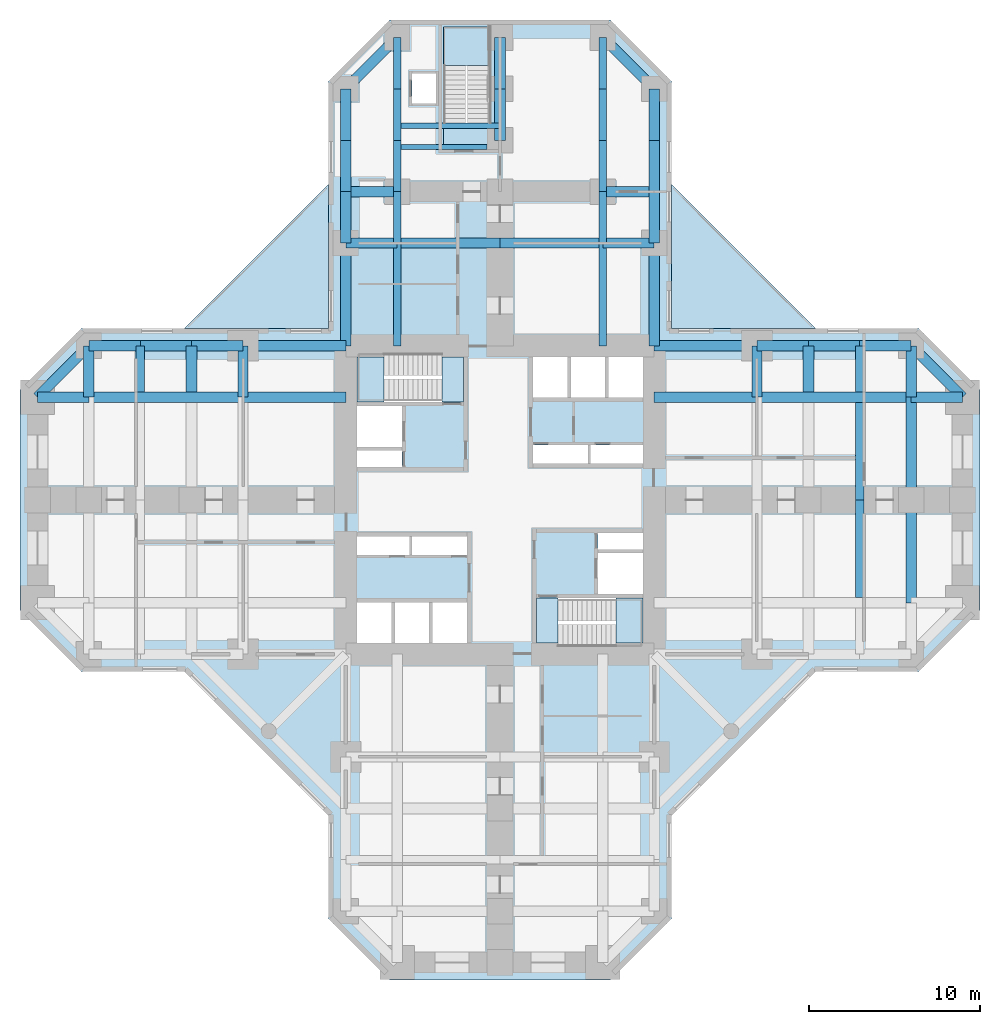
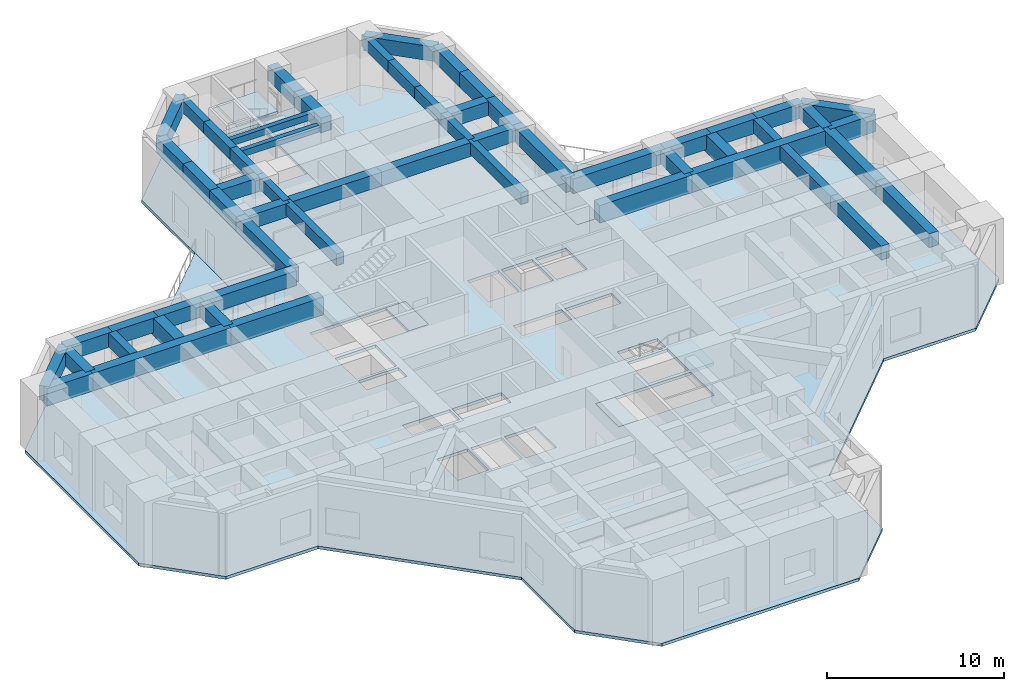
# One storey, part 2 of 10: 58 beams, 9 slabs, 3 elements without a shape of their own.
"""IFC4 building model written with IfcOpenShell, lengths in metres."""

from ifc_helpers import new_model, si_unit, direction, frame, origin, origin_2d, place, context, subcontext, project, spatial, polyline, rectangle, outline, extrude, material, layer, layer_set, material_profile, profile_set, type_object, element, aggregate, save


model = new_model("IFC4")

# Units and contexts
model_context = context("Model", 3, precision=1e-05, world=origin(), true_north=direction((0.0, 1.0)))
body_context = subcontext(model_context, "Body", "Model", "MODEL_VIEW")
ifc_project = project(units=[si_unit("LENGTHUNIT", "METRE"), si_unit("AREAUNIT", "SQUARE_METRE"), si_unit("VOLUMEUNIT", "CUBIC_METRE"), si_unit("PLANEANGLEUNIT", "RADIAN"), si_unit("MASSUNIT", "GRAM", prefix="KILO")], contexts=[model_context])

# Site, building, storey
site_placement = place(None, origin())
site = spatial("IfcSite", under=ifc_project, at=site_placement, CompositionType="ELEMENT")
building_placement = place(site_placement, origin())
building = spatial("IfcBuilding", under=site, at=building_placement, Name="Torre Cruceta", CompositionType="ELEMENT")
storey_placement = place(building_placement, frame((0.0, 0.0, 5.0)))
storey = spatial("IfcBuildingStorey", under=building, at=storey_placement, Name="L01", CompositionType="ELEMENT", Elevation=5.0)

# Beams
ifc_material_1 = material(Name="Concrete G60 (fck 60 MPa)", Category="concrete")
ifc_material_profile_1 = material_profile(ifc_material_1, rectangle(XDim=0.64990234375, YDim=1.0, at=origin_2d()), Name="RC 650X1000")
ifc_profile_set_1 = profile_set([ifc_material_profile_1], Name="Concrete G60 (fck 60 MPa)")
beam_type_1 = type_object("IfcBeamType", Name="ARM CENTRE BEAM RC 650X1000", PredefinedType="BEAM", material=ifc_profile_set_1)
for number, where, z_axis, x_axis, name in (
    (1, (0.0, 21.0, 3.800048828125), (0.0, 1.0, 0.0), (-1.0, 0.0, 0.0), "MB1 L01 N centre 1"),
    (2, (0.0, 24.0, 3.800048828125), (0.0, 1.0, 0.0), (-1.0, 0.0, 0.0), "MB1 L01 N centre 2"),
):
    element("IfcBeam", number, at=place(storey_placement, frame(where, z_axis=z_axis, x_axis=x_axis)), inside=storey, type_object=beam_type_1, Name=name, PredefinedType="BEAM", context=body_context, shape_type="SweptSolid", body=[
        extrude(rectangle(XDim=0.64990234375, YDim=1.0, at=origin_2d()), origin(), (0.0, 0.0, 1.0), 3.0),
    ])
ifc_material_2 = material(Name="Concrete G60 (fck 60 MPa)", Category="concrete")
ifc_material_profile_2 = material_profile(ifc_material_2, rectangle(XDim=0.449951171875, YDim=0.800048828125, at=origin_2d()), Name="RC 450X800")
ifc_profile_set_2 = profile_set([ifc_material_profile_2], Name="Concrete G60 (fck 60 MPa)")
beam_type_2 = type_object("IfcBeamType", Name="COLUMN LINE BEAM RC 450X800", PredefinedType="BEAM", material=ifc_profile_set_2)
beam_1_placement = place(storey_placement, frame((6.0, 9.0, 3.89990234375), z_axis=(0.0, 1.0, 0.0), x_axis=(-1.0, 0.0, 0.0)))
element("IfcBeam", 3, at=beam_1_placement, inside=storey, type_object=beam_type_2, Name="LB1 L01 N col- 1", PredefinedType="BEAM", context=body_context, shape_type="SweptSolid", body=[
    extrude(rectangle(XDim=0.449951171875, YDim=0.800048828125, at=origin_2d()), origin(), (0.0, 0.0, 1.0), 6.0),
])
for number, where, z_axis, x_axis, name in (
    (4, (6.0, 15.0, 3.89990234375), (0.0, 1.0, 0.0), (-1.0, 0.0, 0.0), "LB1 L01 N col- 2"),
    (5, (6.0, 18.0, 3.89990234375), (0.0, 1.0, 0.0), (-1.0, 0.0, 0.0), "LB1 L01 N col- 3"),
    (6, (6.0, 21.0, 3.89990234375), (0.0, 1.0, 0.0), (-1.0, 0.0, 0.0), "LB1 L01 N col- 4"),
    (7, (6.0, 24.0, 3.89990234375), (0.0, 1.0, 0.0), (-1.0, 0.0, 0.0), "LB1 L01 N col- 5"),
):
    element("IfcBeam", number, at=place(storey_placement, frame(where, z_axis=z_axis, x_axis=x_axis)), inside=storey, type_object=beam_type_2, Name=name, PredefinedType="BEAM", context=body_context, shape_type="SweptSolid", body=[
        extrude(rectangle(XDim=0.449951171875, YDim=0.800048828125, at=origin_2d()), origin(), (0.0, 0.0, 1.0), 3.0),
    ])
beam_2_placement = place(storey_placement, frame((-6.0, 9.0, 3.89990234375), z_axis=(0.0, 1.0, 0.0), x_axis=(-1.0, 0.0, 0.0)))
element("IfcBeam", 8, at=beam_2_placement, inside=storey, type_object=beam_type_2, Name="LB1 L01 N col+ 1", PredefinedType="BEAM", context=body_context, shape_type="SweptSolid", body=[
    extrude(rectangle(XDim=0.449951171875, YDim=0.800048828125, at=origin_2d()), origin(), (0.0, 0.0, 1.0), 6.0),
])
for number, where, z_axis, x_axis, name in (
    (9, (-6.0, 15.0, 3.89990234375), (0.0, 1.0, 0.0), (-1.0, 0.0, 0.0), "LB1 L01 N col+ 2"),
    (10, (-6.0, 18.0, 3.89990234375), (0.0, 1.0, 0.0), (-1.0, 0.0, 0.0), "LB1 L01 N col+ 3"),
    (11, (-6.0, 21.0, 3.89990234375), (0.0, 1.0, 0.0), (-1.0, 0.0, 0.0), "LB1 L01 N col+ 4"),
    (12, (-6.0, 24.0, 3.89990234375), (0.0, 1.0, 0.0), (-1.0, 0.0, 0.0), "LB1 L01 N col+ 5"),
):
    element("IfcBeam", number, at=place(storey_placement, frame(where, z_axis=z_axis, x_axis=x_axis)), inside=storey, type_object=beam_type_2, Name=name, PredefinedType="BEAM", context=body_context, shape_type="SweptSolid", body=[
        extrude(rectangle(XDim=0.449951171875, YDim=0.800048828125, at=origin_2d()), origin(), (0.0, 0.0, 1.0), 3.0),
    ])
ifc_material_3 = material(Name="Concrete G60 (fck 60 MPa)", Category="concrete")
ifc_material_profile_3 = material_profile(ifc_material_3, rectangle(XDim=0.60009765625, YDim=1.199951171875, at=origin_2d()), Name="RC 600X1200")
ifc_profile_set_3 = profile_set([ifc_material_profile_3], Name="Concrete G60 (fck 60 MPa)")
beam_type_3 = type_object("IfcBeamType", Name="COLUMN LINE BEAM RC 600X1200", PredefinedType="BEAM", material=ifc_profile_set_3)
beam_3_placement = place(storey_placement, frame((9.0, 6.0, 3.699951171875), z_axis=(1.0, 0.0, 0.0), x_axis=(0.0, 1.0, 0.0)))
element("IfcBeam", 13, at=beam_3_placement, inside=storey, type_object=beam_type_3, Name="LB2 L01 E col+ 1", PredefinedType="BEAM", context=body_context, shape_type="SweptSolid", body=[
    extrude(rectangle(XDim=0.60009765625, YDim=1.199951171875, at=origin_2d()), origin(), (0.0, 0.0, 1.0), 6.0),
])
beam_4_placement = place(storey_placement, frame((15.0, 6.0, 3.699951171875), z_axis=(1.0, 0.0, 0.0), x_axis=(0.0, 1.0, 0.0)))
element("IfcBeam", 14, at=beam_4_placement, inside=storey, type_object=beam_type_3, Name="LB2 L01 E col+ 2", PredefinedType="BEAM", context=body_context, shape_type="SweptSolid", body=[
    extrude(rectangle(XDim=0.60009765625, YDim=1.199951171875, at=origin_2d()), origin(), (0.0, 0.0, 1.0), 9.0),
])
beam_5_placement = place(storey_placement, frame((24.0, 6.0, 3.699951171875), z_axis=(1.0, 0.0, 0.0), x_axis=(0.0, 1.0, 0.0)))
element("IfcBeam", 15, at=beam_5_placement, inside=storey, type_object=beam_type_3, Name="LB2 L01 E col+ 5", PredefinedType="BEAM", context=body_context, shape_type="SweptSolid", body=[
    extrude(rectangle(XDim=0.60009765625, YDim=1.199951171875, at=origin_2d()), origin(), (0.0, 0.0, 1.0), 3.0),
])
beam_6_placement = place(storey_placement, frame((-9.0, 6.0, 3.699951171875), z_axis=(-1.0, 0.0, 0.0), x_axis=(0.0, -1.0, 0.0)))
element("IfcBeam", 16, at=beam_6_placement, inside=storey, type_object=beam_type_3, Name="LB2 L01 W col- 1", PredefinedType="BEAM", context=body_context, shape_type="SweptSolid", body=[
    extrude(rectangle(XDim=0.60009765625, YDim=1.199951171875, at=origin_2d()), origin(), (0.0, 0.0, 1.0), 6.0),
])
beam_7_placement = place(storey_placement, frame((-15.0, 6.0, 3.699951171875), z_axis=(-1.0, 0.0, 0.0), x_axis=(0.0, -1.0, 0.0)))
element("IfcBeam", 17, at=beam_7_placement, inside=storey, type_object=beam_type_3, Name="LB2 L01 W col- 2", PredefinedType="BEAM", context=body_context, shape_type="SweptSolid", body=[
    extrude(rectangle(XDim=0.60009765625, YDim=1.199951171875, at=origin_2d()), origin(), (0.0, 0.0, 1.0), 9.0),
])
beam_8_placement = place(storey_placement, frame((-24.0, 6.0, 3.699951171875), z_axis=(-1.0, 0.0, 0.0), x_axis=(0.0, -1.0, 0.0)))
element("IfcBeam", 18, at=beam_8_placement, inside=storey, type_object=beam_type_3, Name="LB2 L01 W col- 5", PredefinedType="BEAM", context=body_context, shape_type="SweptSolid", body=[
    extrude(rectangle(XDim=0.60009765625, YDim=1.199951171875, at=origin_2d()), origin(), (0.0, 0.0, 1.0), 3.0),
])
ifc_material_4 = material(Name="Concrete G60 (fck 60 MPa)", Category="concrete")
ifc_material_profile_4 = material_profile(ifc_material_4, rectangle(XDim=0.60009765625, YDim=0.949951171875, at=origin_2d()), Name="RC 600X950")
ifc_profile_set_4 = profile_set([ifc_material_profile_4], Name="Concrete G60 (fck 60 MPa)")
beam_type_4 = type_object("IfcBeamType", Name="CROSS BEAM RC 600X950", PredefinedType="BEAM", material=ifc_profile_set_4)
beam_9_placement = place(storey_placement, frame((9.0, 15.0, 3.824951171875), z_axis=(-1.0, 0.0, 0.0), x_axis=(0.0, -1.0, 0.0)))
element("IfcBeam", 19, at=beam_9_placement, inside=storey, type_object=beam_type_4, Name="GB1 L01 N cross15 1", PredefinedType="BEAM", context=body_context, shape_type="SweptSolid", body=[
    extrude(rectangle(XDim=0.60009765625, YDim=0.949951171875, at=origin_2d()), origin(), (0.0, 0.0, 1.0), 3.0),
])
for number, where, z_axis, x_axis, name in (
    (20, (6.0, 15.0, 3.824951171875), (-1.0, 0.0, 0.0), (0.0, -1.0, 0.0), "GB1 L01 N cross15 2"),
    (21, (0.0, 15.0, 3.824951171875), (-1.0, 0.0, 0.0), (0.0, -1.0, 0.0), "GB1 L01 N cross15 3"),
):
    element("IfcBeam", number, at=place(storey_placement, frame(where, z_axis=z_axis, x_axis=x_axis)), inside=storey, type_object=beam_type_4, Name=name, PredefinedType="BEAM", context=body_context, shape_type="SweptSolid", body=[
        extrude(rectangle(XDim=0.60009765625, YDim=0.949951171875, at=origin_2d()), origin(), (0.0, 0.0, 1.0), 6.0),
    ])
for number, where, z_axis, x_axis, name in (
    (22, (-6.0, 15.0, 3.824951171875), (-1.0, 0.0, 0.0), (0.0, -1.0, 0.0), "GB1 L01 N cross15 4"),
    (23, (9.0, 18.0, 3.824951171875), (-1.0, 0.0, 0.0), (0.0, -1.0, 0.0), "GB1 L01 N cross18 1"),
    (24, (-6.0, 18.0, 3.824951171875), (-1.0, 0.0, 0.0), (0.0, -1.0, 0.0), "GB1 L01 N cross18b 1"),
    (25, (15.0, 6.0, 3.824951171875), (0.0, 1.0, 0.0), (-1.0, 0.0, 0.0), "GB1 L01 E cross15 4"),
):
    element("IfcBeam", number, at=place(storey_placement, frame(where, z_axis=z_axis, x_axis=x_axis)), inside=storey, type_object=beam_type_4, Name=name, PredefinedType="BEAM", context=body_context, shape_type="SweptSolid", body=[
        extrude(rectangle(XDim=0.60009765625, YDim=0.949951171875, at=origin_2d()), origin(), (0.0, 0.0, 1.0), 3.0),
    ])
for number, where, z_axis, x_axis, name in (
    (26, (24.0, -6.0, 3.824951171875), (0.0, 1.0, 0.0), (-1.0, 0.0, 0.0), "GB1 L01 E cross24 2"),
    (27, (24.0, 0.0, 3.824951171875), (0.0, 1.0, 0.0), (-1.0, 0.0, 0.0), "GB1 L01 E cross24 3"),
):
    element("IfcBeam", number, at=place(storey_placement, frame(where, z_axis=z_axis, x_axis=x_axis)), inside=storey, type_object=beam_type_4, Name=name, PredefinedType="BEAM", context=body_context, shape_type="SweptSolid", body=[
        extrude(rectangle(XDim=0.60009765625, YDim=0.949951171875, at=origin_2d()), origin(), (0.0, 0.0, 1.0), 6.0),
    ])
for number, where, z_axis, x_axis, name in (
    (28, (24.0, 6.0, 3.824951171875), (0.0, 1.0, 0.0), (-1.0, 0.0, 0.0), "GB1 L01 E cross24 4"),
    (29, (-15.0, 9.0, 3.824951171875), (0.0, -1.0, 0.0), (1.0, 0.0, 0.0), "GB1 L01 W cross15 1"),
    (30, (-24.0, 9.0, 3.824951171875), (0.0, -1.0, 0.0), (1.0, 0.0, 0.0), "GB1 L01 W cross24 1"),
):
    element("IfcBeam", number, at=place(storey_placement, frame(where, z_axis=z_axis, x_axis=x_axis)), inside=storey, type_object=beam_type_4, Name=name, PredefinedType="BEAM", context=body_context, shape_type="SweptSolid", body=[
        extrude(rectangle(XDim=0.60009765625, YDim=0.949951171875, at=origin_2d()), origin(), (0.0, 0.0, 1.0), 3.0),
    ])
ifc_material_5 = material(Name="Concrete G60 (fck 60 MPa)", Category="concrete")
ifc_material_profile_5 = material_profile(ifc_material_5, rectangle(XDim=0.64990234375, YDim=1.199951171875, at=origin_2d()), Name="RC 650X1200")
ifc_profile_set_5 = profile_set([ifc_material_profile_5], Name="Concrete G60 (fck 60 MPa)")
beam_type_5 = type_object("IfcBeamType", Name="CROSS BEAM RC 650X1200", PredefinedType="BEAM", material=ifc_profile_set_5)
for number, where, z_axis, x_axis, name in (
    (31, (18.0, 6.300048828125, 3.699951171875), (0.0, 1.0, 0.0), (-1.0, 0.0, 0.0), "GB2 L01 E cross18 4"),
    (32, (-18.0, 9.0, 3.699951171875), (0.0, -1.0, 0.0), (1.0, 0.0, 0.0), "GB2 L01 W cross18 1"),
):
    element("IfcBeam", number, at=place(storey_placement, frame(where, z_axis=z_axis, x_axis=x_axis)), inside=storey, type_object=beam_type_5, Name=name, PredefinedType="BEAM", context=body_context, shape_type="SweptSolid", body=[
        extrude(rectangle(XDim=0.64990234375, YDim=1.199951171875, at=origin_2d()), origin(), (0.0, 0.0, 1.0), 2.699951171875),
    ])
ifc_material_6 = material(Name="Concrete G60 (fck 60 MPa)", Category="concrete")
ifc_material_profile_6 = material_profile(ifc_material_6, rectangle(XDim=0.5, YDim=0.949951171875, at=origin_2d()), Name="RC 500X950")
ifc_profile_set_6 = profile_set([ifc_material_profile_6], Name="Concrete G60 (fck 60 MPa)")
beam_type_6 = type_object("IfcBeamType", Name="SECONDARY BEAM RC 500X950", PredefinedType="JOIST", material=ifc_profile_set_6)
for number, where, z_axis, x_axis, name in (
    (33, (21.0, -5.699951171875, 3.824951171875), (0.0, 1.0, 0.0), (-1.0, 0.0, 0.0), "JB2 L01 E sec21 2"),
    (34, (21.0, 0.0, 3.824951171875), (0.0, 1.0, 0.0), (-1.0, 0.0, 0.0), "JB2 L01 E sec21 3"),
):
    element("IfcBeam", number, at=place(storey_placement, frame(where, z_axis=z_axis, x_axis=x_axis)), inside=storey, type_object=beam_type_6, Name=name, PredefinedType="JOIST", context=body_context, shape_type="SweptSolid", body=[
        extrude(rectangle(XDim=0.5, YDim=0.949951171875, at=origin_2d()), origin(), (0.0, 0.0, 1.0), 5.699951171875),
    ])
for number, where, z_axis, x_axis, name in (
    (35, (21.0, 6.300048828125, 3.824951171875), (0.0, 1.0, 0.0), (-1.0, 0.0, 0.0), "JB2 L01 E sec21 4"),
    (36, (-21.0, 9.0, 3.824951171875), (0.0, -1.0, 0.0), (1.0, 0.0, 0.0), "JB2 L01 W sec21 1"),
):
    element("IfcBeam", number, at=place(storey_placement, frame(where, z_axis=z_axis, x_axis=x_axis)), inside=storey, type_object=beam_type_6, Name=name, PredefinedType="JOIST", context=body_context, shape_type="SweptSolid", body=[
        extrude(rectangle(XDim=0.5, YDim=0.949951171875, at=origin_2d()), origin(), (0.0, 0.0, 1.0), 2.699951171875),
    ])
ifc_material_7 = material(Name="Concrete G60 (fck 60 MPa)", Category="concrete")
ifc_material_profile_7 = material_profile(ifc_material_7, rectangle(XDim=0.60009765625, YDim=1.0, at=origin_2d()), Name="RC 600X1000")
ifc_profile_set_7 = profile_set([ifc_material_profile_7], Name="Concrete G60 (fck 60 MPa)")
beam_type_7 = type_object("IfcBeamType", Name="SPANDREL BEAM RC 600X1000", PredefinedType="SPANDREL", material=ifc_profile_set_7)
beam_10_placement = place(storey_placement, frame((9.0, 9.0, 3.800048828125), z_axis=(0.0, 1.0, 0.0), x_axis=(-1.0, 0.0, 0.0)))
element("IfcBeam", 37, at=beam_10_placement, inside=storey, type_object=beam_type_7, Name="SB1 L01 N side- 1", PredefinedType="SPANDREL", context=body_context, shape_type="SweptSolid", body=[
    extrude(rectangle(XDim=0.60009765625, YDim=1.0, at=origin_2d()), origin(), (0.0, 0.0, 1.0), 6.0),
])
for number, where, z_axis, x_axis, name in (
    (38, (9.0, 15.0, 3.800048828125), (0.0, 1.0, 0.0), (-1.0, 0.0, 0.0), "SB1 L01 N side- 2"),
    (39, (9.0, 18.0, 3.800048828125), (0.0, 1.0, 0.0), (-1.0, 0.0, 0.0), "SB1 L01 N side- 3"),
    (40, (9.0, 21.0, 3.800048828125), (0.0, 1.0, 0.0), (-1.0, 0.0, 0.0), "SB1 L01 N side- 4"),
):
    element("IfcBeam", number, at=place(storey_placement, frame(where, z_axis=z_axis, x_axis=x_axis)), inside=storey, type_object=beam_type_7, Name=name, PredefinedType="SPANDREL", context=body_context, shape_type="SweptSolid", body=[
        extrude(rectangle(XDim=0.60009765625, YDim=1.0, at=origin_2d()), origin(), (0.0, 0.0, 1.0), 3.0),
    ])
beam_11_placement = place(storey_placement, frame((9.0, 24.0, 3.800048828125), z_axis=(-0.707106781187, 0.707106781187, 0.0), x_axis=(-0.707106781187, -0.707106781187, 0.0)))
element("IfcBeam", 41, at=beam_11_placement, inside=storey, type_object=beam_type_7, Name="SB1 L01 N side- 5", PredefinedType="SPANDREL", context=body_context, shape_type="SweptSolid", body=[
    extrude(rectangle(XDim=0.60009765625, YDim=1.0, at=origin_2d()), origin(), (0.0, 0.0, 1.0), 4.24267578125),
])
beam_12_placement = place(storey_placement, frame((-9.0, 9.0, 3.800048828125), z_axis=(0.0, 1.0, 0.0), x_axis=(-1.0, 0.0, 0.0)))
element("IfcBeam", 42, at=beam_12_placement, inside=storey, type_object=beam_type_7, Name="SB1 L01 N side+ 1", PredefinedType="SPANDREL", context=body_context, shape_type="SweptSolid", body=[
    extrude(rectangle(XDim=0.60009765625, YDim=1.0, at=origin_2d()), origin(), (0.0, 0.0, 1.0), 6.0),
])
for number, where, z_axis, x_axis, name in (
    (43, (-9.0, 15.0, 3.800048828125), (0.0, 1.0, 0.0), (-1.0, 0.0, 0.0), "SB1 L01 N side+ 2"),
    (44, (-9.0, 18.0, 3.800048828125), (0.0, 1.0, 0.0), (-1.0, 0.0, 0.0), "SB1 L01 N side+ 3"),
    (45, (-9.0, 21.0, 3.800048828125), (0.0, 1.0, 0.0), (-1.0, 0.0, 0.0), "SB1 L01 N side+ 4"),
):
    element("IfcBeam", number, at=place(storey_placement, frame(where, z_axis=z_axis, x_axis=x_axis)), inside=storey, type_object=beam_type_7, Name=name, PredefinedType="SPANDREL", context=body_context, shape_type="SweptSolid", body=[
        extrude(rectangle(XDim=0.60009765625, YDim=1.0, at=origin_2d()), origin(), (0.0, 0.0, 1.0), 3.0),
    ])
beam_13_placement = place(storey_placement, frame((-9.0, 24.0, 3.800048828125), z_axis=(0.707106781187, 0.707106781187, 0.0), x_axis=(-0.707106781187, 0.707106781187, 0.0)))
element("IfcBeam", 46, at=beam_13_placement, inside=storey, type_object=beam_type_7, Name="SB1 L01 N side+ 5", PredefinedType="SPANDREL", context=body_context, shape_type="SweptSolid", body=[
    extrude(rectangle(XDim=0.60009765625, YDim=1.0, at=origin_2d()), origin(), (0.0, 0.0, 1.0), 4.24267578125),
])
beam_14_placement = place(storey_placement, frame((9.0, 9.0, 3.800048828125), z_axis=(1.0, 0.0, 0.0), x_axis=(0.0, 1.0, 0.0)))
element("IfcBeam", 47, at=beam_14_placement, inside=storey, type_object=beam_type_7, Name="SB1 L01 E side+ 1", PredefinedType="SPANDREL", context=body_context, shape_type="SweptSolid", body=[
    extrude(rectangle(XDim=0.60009765625, YDim=1.0, at=origin_2d()), origin(), (0.0, 0.0, 1.0), 6.0),
])
for number, where, z_axis, x_axis, name in (
    (48, (15.0, 9.0, 3.800048828125), (1.0, 0.0, 0.0), (0.0, 1.0, 0.0), "SB1 L01 E side+ 2"),
    (49, (18.0, 9.0, 3.800048828125), (1.0, 0.0, 0.0), (0.0, 1.0, 0.0), "SB1 L01 E side+ 3"),
    (50, (21.0, 9.0, 3.800048828125), (1.0, 0.0, 0.0), (0.0, 1.0, 0.0), "SB1 L01 E side+ 4"),
):
    element("IfcBeam", number, at=place(storey_placement, frame(where, z_axis=z_axis, x_axis=x_axis)), inside=storey, type_object=beam_type_7, Name=name, PredefinedType="SPANDREL", context=body_context, shape_type="SweptSolid", body=[
        extrude(rectangle(XDim=0.60009765625, YDim=1.0, at=origin_2d()), origin(), (0.0, 0.0, 1.0), 3.0),
    ])
beam_15_placement = place(storey_placement, frame((24.0, 9.0, 3.800048828125), z_axis=(0.707106781187, -0.707106781187, 0.0), x_axis=(0.707106781187, 0.707106781187, 0.0)))
element("IfcBeam", 51, at=beam_15_placement, inside=storey, type_object=beam_type_7, Name="SB1 L01 E side+ 5", PredefinedType="SPANDREL", context=body_context, shape_type="SweptSolid", body=[
    extrude(rectangle(XDim=0.60009765625, YDim=1.0, at=origin_2d()), origin(), (0.0, 0.0, 1.0), 4.24267578125),
])
beam_16_placement = place(storey_placement, frame((-9.0, 9.0, 3.800048828125), z_axis=(-1.0, 0.0, 0.0), x_axis=(0.0, -1.0, 0.0)))
element("IfcBeam", 52, at=beam_16_placement, inside=storey, type_object=beam_type_7, Name="SB1 L01 W side- 1", PredefinedType="SPANDREL", context=body_context, shape_type="SweptSolid", body=[
    extrude(rectangle(XDim=0.60009765625, YDim=1.0, at=origin_2d()), origin(), (0.0, 0.0, 1.0), 6.0),
])
for number, where, z_axis, x_axis, name in (
    (53, (-15.0, 9.0, 3.800048828125), (-1.0, 0.0, 0.0), (0.0, -1.0, 0.0), "SB1 L01 W side- 2"),
    (54, (-18.0, 9.0, 3.800048828125), (-1.0, 0.0, 0.0), (0.0, -1.0, 0.0), "SB1 L01 W side- 3"),
    (55, (-21.0, 9.0, 3.800048828125), (-1.0, 0.0, 0.0), (0.0, -1.0, 0.0), "SB1 L01 W side- 4"),
):
    element("IfcBeam", number, at=place(storey_placement, frame(where, z_axis=z_axis, x_axis=x_axis)), inside=storey, type_object=beam_type_7, Name=name, PredefinedType="SPANDREL", context=body_context, shape_type="SweptSolid", body=[
        extrude(rectangle(XDim=0.60009765625, YDim=1.0, at=origin_2d()), origin(), (0.0, 0.0, 1.0), 3.0),
    ])
beam_17_placement = place(storey_placement, frame((-24.0, 9.0, 3.800048828125), z_axis=(-0.707106781187, -0.707106781187, 0.0), x_axis=(0.707106781187, -0.707106781187, 0.0)))
element("IfcBeam", 56, at=beam_17_placement, inside=storey, type_object=beam_type_7, Name="SB1 L01 W side- 5", PredefinedType="SPANDREL", context=body_context, shape_type="SweptSolid", body=[
    extrude(rectangle(XDim=0.60009765625, YDim=1.0, at=origin_2d()), origin(), (0.0, 0.0, 1.0), 4.24267578125),
])
ifc_material_8 = material(Name="Concrete G60 (fck 60 MPa)", Category="concrete")
ifc_material_profile_8 = material_profile(ifc_material_8, rectangle(XDim=0.300048828125, YDim=0.449951171875, at=origin_2d()), Name="RC 300X450")
ifc_profile_set_8 = profile_set([ifc_material_profile_8], Name="Concrete G60 (fck 60 MPa)")
beam_type_8 = type_object("IfcBeamType", Name="STAIR TRIMMER BEAM RC 300X450", PredefinedType="BEAM", material=ifc_profile_set_8)
beam_18_placement = place(storey_placement, frame((-0.75, 20.60009765625, 4.074951171875), z_axis=(-1.0, 0.0, 0.0), x_axis=(0.0, -1.0, 0.0)))
element("IfcBeam", 57, at=beam_18_placement, inside=storey, type_object=beam_type_8, Name="TB1 stair trimmer beam ST3 L02 1", PredefinedType="BEAM", context=body_context, shape_type="SweptSolid", body=[
    extrude(rectangle(XDim=0.300048828125, YDim=0.449951171875, at=origin_2d()), origin(), (0.0, 0.0, 1.0), 5.25),
])
beam_19_placement = place(storey_placement, frame((0.0, 21.85009765625, 4.074951171875), z_axis=(-1.0, 0.0, 0.0), x_axis=(0.0, -1.0, 0.0)))
element("IfcBeam", 58, at=beam_19_placement, inside=storey, type_object=beam_type_8, Name="TB1 stair trimmer beam ST3 L02 2", PredefinedType="BEAM", context=body_context, shape_type="SweptSolid", body=[
    extrude(rectangle(XDim=0.300048828125, YDim=0.449951171875, at=origin_2d()), origin(), (0.0, 0.0, 1.0), 6.0),
])

# Slab
ifc_material_9 = material(Name="Concrete G35 (fck 35 MPa)", Category="concrete")
ifc_layer_1 = layer(ifc_material_9, 0.199951171875)
ifc_layer_set_1 = layer_set([ifc_layer_1], Name="Concrete G35 (fck 35 MPa)")
slab_type_1 = type_object("IfcSlabType", Name="FLOOR SLAB 200", PredefinedType="FLOOR", material=ifc_layer_set_1)
slab_1_placement = place(storey_placement, frame((0.0, 0.0, -0.199951171875)))
element("IfcSlab", 59, at=slab_1_placement, inside=storey, type_object=slab_type_1, Name="Floor Slab L01", PredefinedType="FLOOR", context=body_context, shape_type="SweptSolid", body=[
    extrude(outline(polyline([(18.422607421875, -10.02001953125), (10.02001953125, -18.422607421875), (10.02001953125, -24.422607421875), (6.422607421875, -28.02001953125), (-6.422607421875, -28.02001953125), (-10.02001953125, -24.422607421875), (-10.02001953125, -18.422607421875), (-18.422607421875, -10.02001953125), (-24.422607421875, -10.02001953125), (-28.02001953125, -6.422607421875), (-28.02001953125, 6.422607421875), (-24.422607421875, 10.02001953125), (-10.02001953125, 10.02001953125), (-10.02001953125, 24.422607421875), (-6.422607421875, 28.02001953125), (6.422607421875, 28.02001953125), (10.02001953125, 24.422607421875), (10.02001953125, 10.02001953125), (24.422607421875, 10.02001953125), (28.02001953125, 6.422607421875), (28.02001953125, -6.422607421875), (24.422607421875, -10.02001953125), (18.422607421875, -10.02001953125)]), holes=[polyline([(1.925048828125, 5.97509765625), (3.933349609375, 5.97509765625), (3.933349609375, 8.35009765625), (1.925048828125, 8.35009765625), (1.925048828125, 5.97509765625)]), polyline([(4.13330078125, 5.97509765625), (6.1416015625, 5.97509765625), (6.1416015625, 8.35009765625), (4.13330078125, 8.35009765625), (4.13330078125, 5.97509765625)]), polyline([(6.341552734375, 5.97509765625), (8.35009765625, 5.97509765625), (8.35009765625, 8.35009765625), (6.341552734375, 8.35009765625), (6.341552734375, 5.97509765625)]), polyline([(1.925048828125, 2.125), (5.125, 2.125), (5.125, 3.22509765625), (1.925048828125, 3.22509765625), (1.925048828125, 2.125)]), polyline([(5.27490234375, 2.125), (8.35009765625, 2.125), (8.35009765625, 3.22509765625), (5.27490234375, 3.22509765625), (5.27490234375, 2.125)]), polyline([(-8.35009765625, 3.10009765625), (-5.72509765625, 3.10009765625), (-5.72509765625, 5.47509765625), (-8.35009765625, 5.47509765625), (-8.35009765625, 3.10009765625)]), polyline([(-8.35009765625, 1.925048828125), (-5.72509765625, 1.925048828125), (-5.72509765625, 2.89990234375), (-8.35009765625, 2.89990234375), (-8.35009765625, 1.925048828125)]), polyline([(-3.933349609375, -8.35009765625), (-1.925048828125, -8.35009765625), (-1.925048828125, -5.97509765625), (-3.933349609375, -5.97509765625), (-3.933349609375, -8.35009765625)]), polyline([(-6.1416015625, -8.35009765625), (-4.13330078125, -8.35009765625), (-4.13330078125, -5.97509765625), (-6.1416015625, -5.97509765625), (-6.1416015625, -8.35009765625)]), polyline([(-8.35009765625, -8.35009765625), (-6.341552734375, -8.35009765625), (-6.341552734375, -5.97509765625), (-8.35009765625, -5.97509765625), (-8.35009765625, -8.35009765625)]), polyline([(-5.125, -3.22509765625), (-1.925048828125, -3.22509765625), (-1.925048828125, -2.125), (-5.125, -2.125), (-5.125, -3.22509765625)]), polyline([(-8.35009765625, -3.22509765625), (-5.27490234375, -3.22509765625), (-5.27490234375, -2.125), (-8.35009765625, -2.125), (-8.35009765625, -3.22509765625)]), polyline([(5.72509765625, -5.47509765625), (8.35009765625, -5.47509765625), (8.35009765625, -3.10009765625), (5.72509765625, -3.10009765625), (5.72509765625, -5.47509765625)]), polyline([(5.72509765625, -2.89990234375), (8.35009765625, -2.89990234375), (8.35009765625, -1.925048828125), (5.72509765625, -1.925048828125), (5.72509765625, -2.89990234375)]), polyline([(-8.35009765625, 5.72509765625), (-8.35009765625, 8.35009765625), (-3.39990234375, 8.35009765625), (-2.125, 8.35009765625), (-2.125, 5.72509765625), (-3.39990234375, 5.72509765625), (-8.35009765625, 5.72509765625)]), polyline([(2.125, -5.72509765625), (3.39990234375, -5.72509765625), (8.35009765625, -5.72509765625), (8.35009765625, -8.35009765625), (3.39990234375, -8.35009765625), (2.125, -8.35009765625), (2.125, -5.72509765625)]), polyline([(-0.60009765625, 20.449951171875), (-0.60009765625, 27.6201171875), (-3.300048828125, 27.6201171875), (-3.300048828125, 20.449951171875), (-0.60009765625, 20.449951171875)]), polyline([(-3.75, 23.14990234375), (-3.75, 24.89990234375), (-5.14990234375, 24.89990234375), (-5.14990234375, 23.14990234375), (-3.75, 23.14990234375)])]), origin(), (0.0, 0.0, 1.0), 0.199951171875),
])

# Stair, slab
ifc_material_10 = material(Name="Concrete G30 (fck 30 MPa)", Category="concrete")
stair_type = type_object("IfcStairType", Name="STAIR HALF-TURN 1300", PredefinedType="HALF_TURN_STAIR", material=ifc_material_10)
stair_1_placement = place(storey_placement, origin())
stair_1 = element("IfcStair", 60, at=stair_1_placement, inside=storey, type_object=stair_type, Name="Stair ST1 L01", PredefinedType="HALF_TURN_STAIR")
ifc_material_11 = material(Name="Concrete G30 (fck 30 MPa)", Category="concrete")
ifc_layer_2 = layer(ifc_material_11, 0.199951171875)
ifc_layer_set_2 = layer_set([ifc_layer_2], Name="Concrete G30 (fck 30 MPa)")
slab_type_2 = type_object("IfcSlabType", Name="STAIR LANDING 200", PredefinedType="LANDING", material=ifc_layer_set_2)
slab_2_placement = place(storey_placement, frame((0.0, 0.0, 2.050048828125)))
slab_2 = element("IfcSlab", 61, at=slab_2_placement, type_object=slab_type_2, Name="ST1 landing 1", PredefinedType="LANDING", context=body_context, shape_type="SweptSolid", body=[
    extrude(outline(polyline([(-8.35009765625, 5.72509765625), (-6.760009765625, 5.72509765625), (-6.760009765625, 8.35009765625), (-8.35009765625, 8.35009765625), (-8.35009765625, 5.72509765625)])), origin(), (0.0, 0.0, 1.0), 0.199951171875),
])
aggregate(stair_1, [slab_2])

stair_2_placement = place(storey_placement, origin())
stair_2 = element("IfcStair", 62, at=stair_2_placement, inside=storey, type_object=stair_type, Name="Stair ST2 L01", PredefinedType="HALF_TURN_STAIR")
slab_3_placement = place(storey_placement, frame((0.0, 0.0, 2.050048828125)))
slab_3 = element("IfcSlab", 63, at=slab_3_placement, type_object=slab_type_2, Name="ST2 landing 1", PredefinedType="LANDING", context=body_context, shape_type="SweptSolid", body=[
    extrude(outline(polyline([(6.760009765625, -8.35009765625), (8.35009765625, -8.35009765625), (8.35009765625, -5.72509765625), (6.760009765625, -5.72509765625), (6.760009765625, -8.35009765625)])), origin(), (0.0, 0.0, 1.0), 0.199951171875),
])
aggregate(stair_2, [slab_3])

# Slabs
slab_4_placement = place(storey_placement, frame((0.0, 0.0, -0.199951171875)))
element("IfcSlab", 64, at=slab_4_placement, inside=storey, type_object=slab_type_2, Name="Stair ST1 floor landing L01", PredefinedType="LANDING", context=body_context, shape_type="SweptSolid", body=[
    extrude(outline(polyline([(-2.125, 8.35009765625), (-2.125, 5.72509765625), (-3.39990234375, 5.72509765625), (-3.39990234375, 8.35009765625), (-2.125, 8.35009765625)])), origin(), (0.0, 0.0, 1.0), 0.199951171875),
])
slab_5_placement = place(storey_placement, frame((0.0, 0.0, -0.199951171875)))
element("IfcSlab", 65, at=slab_5_placement, inside=storey, type_object=slab_type_2, Name="Stair ST2 floor landing L01", PredefinedType="LANDING", context=body_context, shape_type="SweptSolid", body=[
    extrude(outline(polyline([(2.125, -8.35009765625), (2.125, -5.72509765625), (3.39990234375, -5.72509765625), (3.39990234375, -8.35009765625), (2.125, -8.35009765625)])), origin(), (0.0, 0.0, 1.0), 0.199951171875),
])

# Stair, slab
stair_3_placement = place(storey_placement, origin())
stair_3 = element("IfcStair", 66, at=stair_3_placement, inside=storey, type_object=stair_type, Name="Stair ST3 L01", PredefinedType="HALF_TURN_STAIR")
slab_6_placement = place(storey_placement, frame((0.0, 0.0, 2.050048828125)))
slab_6 = element("IfcSlab", 67, at=slab_6_placement, type_object=slab_type_2, Name="ST3 landing 1", PredefinedType="LANDING", context=body_context, shape_type="SweptSolid", body=[
    extrude(outline(polyline([(-0.60009765625, 25.360107421875), (-0.60009765625, 27.6201171875), (-3.300048828125, 27.6201171875), (-3.300048828125, 25.360107421875), (-0.60009765625, 25.360107421875)])), origin(), (0.0, 0.0, 1.0), 0.199951171875),
])
aggregate(stair_3, [slab_6])

# Slabs
slab_7_placement = place(storey_placement, frame((0.0, 0.0, -0.199951171875)))
element("IfcSlab", 68, at=slab_7_placement, inside=storey, type_object=slab_type_2, Name="Stair ST3 floor landing L01", PredefinedType="LANDING", context=body_context, shape_type="SweptSolid", body=[
    extrude(outline(polyline([(-0.60009765625, 20.449951171875), (-0.60009765625, 22.0), (-3.300048828125, 22.0), (-3.300048828125, 20.449951171875), (-0.60009765625, 20.449951171875)])), origin(), (0.0, 0.0, 1.0), 0.199951171875),
])
ifc_material_12 = material(Name="Concrete G35 (fck 35 MPa)", Category="concrete")
ifc_layer_3 = layer(ifc_material_12, 0.25)
ifc_layer_set_3 = layer_set([ifc_layer_3], Name="Concrete G35 (fck 35 MPa)")
slab_type_3 = type_object("IfcSlabType", Name="TERRACE SLAB 250", PredefinedType="ROOF", material=ifc_layer_set_3)
slab_8_placement = place(storey_placement, frame((0.0, 0.0, -0.25)))
element("IfcSlab", 69, at=slab_8_placement, inside=storey, type_object=slab_type_3, Name="Terrace slab L01-1", PredefinedType="ROOF", context=body_context, shape_type="SweptSolid", body=[
    extrude(outline(polyline([(-10.02001953125, 10.02001953125), (-18.422607421875, 10.02001953125), (-10.02001953125, 18.422607421875), (-10.02001953125, 10.02001953125)])), origin(), (0.0, 0.0, 1.0), 0.25),
])
slab_9_placement = place(storey_placement, frame((0.0, 0.0, -0.25)))
element("IfcSlab", 70, at=slab_9_placement, inside=storey, type_object=slab_type_3, Name="Terrace slab L01-2", PredefinedType="ROOF", context=body_context, shape_type="SweptSolid", body=[
    extrude(outline(polyline([(10.02001953125, 10.02001953125), (10.02001953125, 18.422607421875), (18.422607421875, 10.02001953125), (10.02001953125, 10.02001953125)])), origin(), (0.0, 0.0, 1.0), 0.25),
])

save(model, "model.ifc")
